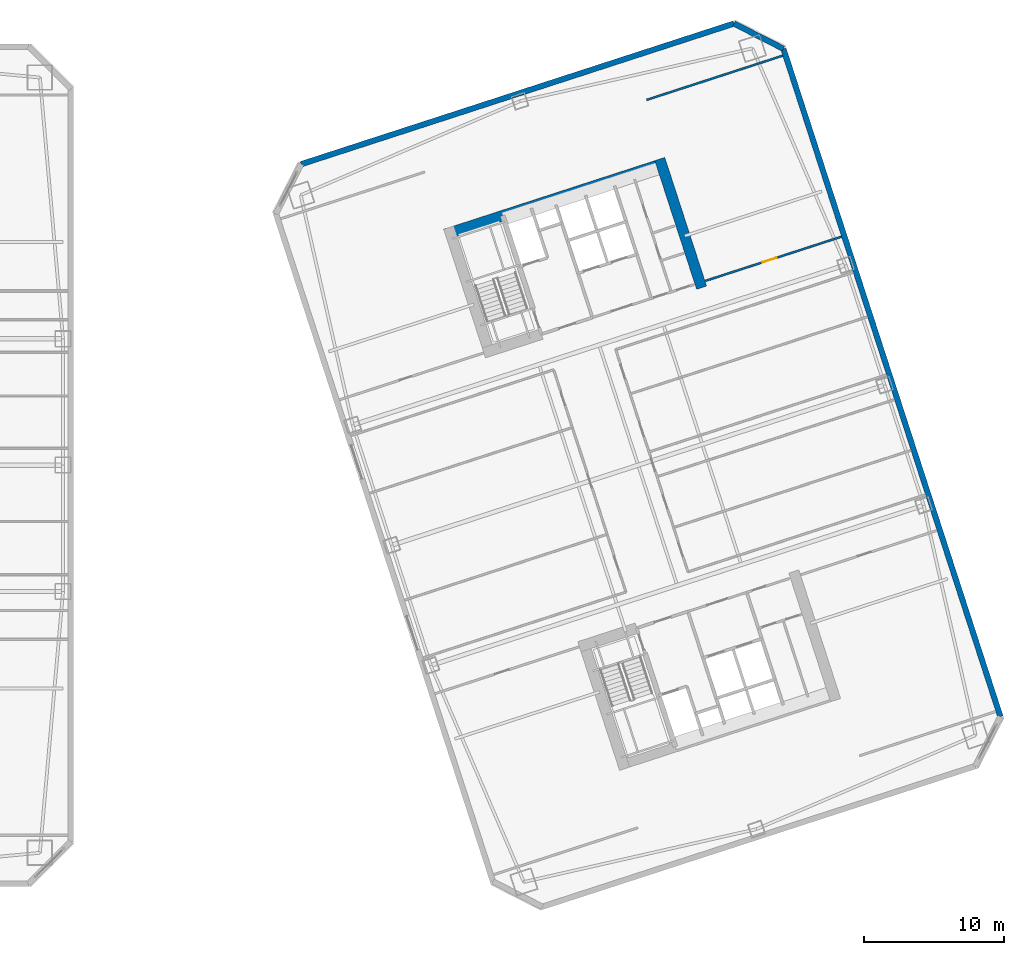
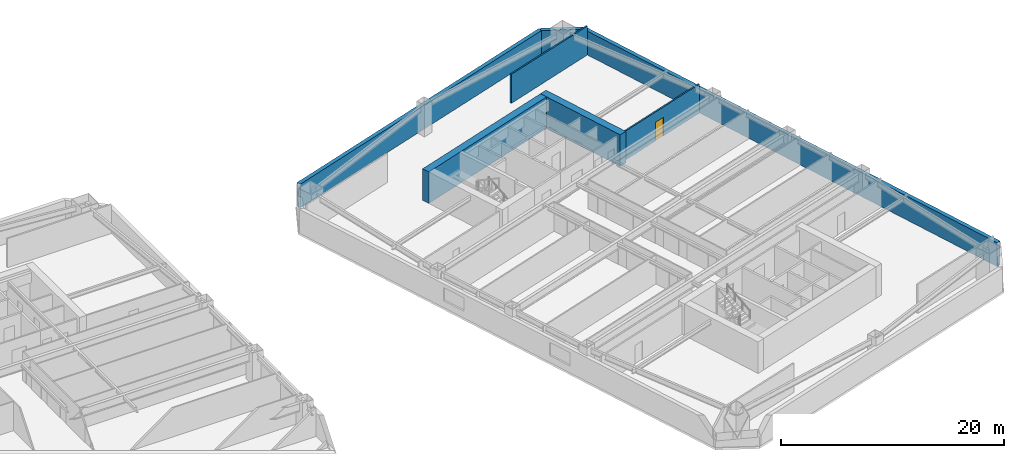
# One storey, part 16 of 19: 7 walls, 1 door, 1 opening.
"""IFC4 building model written with IfcOpenShell, lengths in metres."""

from ifc_helpers import new_model, si_unit, direction, frame, frame_2d, origin, place, context, subcontext, project, spatial, rectangle, extrude, material, layer, layer_set, type_object, element, fill, save


model = new_model("IFC4")

# Units and contexts
model_context = context("Model", 3, precision=1e-05, world=origin(), true_north=direction((0.0, 1.0)))
body_context = subcontext(model_context, "Body", "Model", "MODEL_VIEW")
ifc_project = project(units=[si_unit("LENGTHUNIT", "METRE"), si_unit("AREAUNIT", "SQUARE_METRE"), si_unit("VOLUMEUNIT", "CUBIC_METRE"), si_unit("PLANEANGLEUNIT", "RADIAN"), si_unit("MASSUNIT", "GRAM", prefix="KILO")], contexts=[model_context])

# Site, building, storey
site_placement = place(None, origin())
site = spatial("IfcSite", under=ifc_project, at=site_placement, CompositionType="ELEMENT")
building_placement = place(site_placement, origin())
building = spatial("IfcBuilding", under=site, at=building_placement, Name="Qiaolan Cultural Towers", CompositionType="ELEMENT")
storey_placement = place(building_placement, frame((0.0, 0.0, 54.050048828125)))
storey = spatial("IfcBuildingStorey", under=building, at=storey_placement, Name="L12", CompositionType="ELEMENT", Elevation=54.050048828125)

# Walls
ifc_material_1 = material(Name="Concrete C60", Category="concrete")
ifc_layer_1 = layer(ifc_material_1, 0.75)
ifc_layer_set_1 = layer_set([ifc_layer_1], Name="Concrete C60")
wall_type_1 = type_object("IfcWallType", Name="WL-CORE-750", PredefinedType="SHEAR", material=ifc_layer_set_1)
wall_1_placement = place(storey_placement, frame((76.27197265625, 50.442626953125, 0.0), z_axis=(0.0, 0.0, 1.0), x_axis=(0.951056072937, 0.309018358888, 0.0)))
element("IfcWall", 1, at=wall_1_placement, inside=storey, type_object=wall_type_1, Name="L12 T2-CN Outer Core Shear Wall", PredefinedType="SHEAR", context=body_context, shape_type="SweptSolid", body=[
    extrude(rectangle(XDim=16.550048828125, YDim=0.75, at=frame_2d((8.27490234375, 0.0))), origin(), (0.0, 0.0, 1.0), 3.449951171875),
])
wall_2_placement = place(storey_placement, frame((94.515380859375, 46.638916015625, 0.0), z_axis=(0.0, 0.0, 1.0), x_axis=(-0.309016134813, 0.951056795583, 0.0)))
element("IfcWall", 2, at=wall_2_placement, inside=storey, type_object=wall_type_1, Name="L12 T2-CN East Core Shear Wall", PredefinedType="SHEAR", context=body_context, shape_type="SweptSolid", body=[
    extrude(rectangle(XDim=9.630126953125, YDim=0.75, at=frame_2d((4.81494140625, 0.0))), origin(), (0.0, 0.0, 1.0), 3.449951171875),
])
ifc_material_2 = material(Name="Precast Concrete C50 Honed Stone Pier", Category="masonry")
ifc_layer_2 = layer(ifc_material_2, 0.39990234375)
ifc_layer_set_2 = layer_set([ifc_layer_2], Name="Precast Concrete C50 Honed Stone Pier")
wall_type_2 = type_object("IfcWallType", Name="WL-EXT-PIER-400", PredefinedType="SOLIDWALL", material=ifc_layer_set_2)
wall_3_placement = place(storey_placement, frame((66.002197265625, 55.433349609375, 0.0), z_axis=(0.0, 0.0, 1.0), x_axis=(0.951055939317, 0.309018770125, 0.0)))
element("IfcWall", 3, at=wall_3_placement, inside=storey, type_object=wall_type_2, Name="L12 East Tower Precast Pier Facade Wall F3", PredefinedType="SOLIDWALL", context=body_context, shape_type="SweptSolid", body=[
    extrude(rectangle(XDim=32.39990234375, YDim=0.39990234375, at=frame_2d((16.199951171875, 0.0))), origin(), (0.0, 0.0, 1.0), 2.60986328125),
])
wall_4_placement = place(storey_placement, frame((96.81640625, 65.445556640625, 0.0), z_axis=(0.0, 0.0, 1.0), x_axis=(0.890998089617, -0.454007053137, 0.0)))
element("IfcWall", 4, at=wall_4_placement, inside=storey, type_object=wall_type_2, Name="L12 East Tower Precast Pier Facade Wall F4", PredefinedType="SOLIDWALL", context=body_context, shape_type="SweptSolid", body=[
    extrude(rectangle(XDim=3.9599609375, YDim=0.39990234375, at=frame_2d((1.97998046875, 0.0))), origin(), (0.0, 0.0, 1.0), 2.60986328125),
])
wall_5_placement = place(storey_placement, frame((100.3447265625, 63.647705078125, 0.0), z_axis=(0.0, 0.0, 1.0), x_axis=(0.309014526607, -0.951057318118, 0.0)))
element("IfcWall", 5, at=wall_5_placement, inside=storey, type_object=wall_type_2, Name="L12 East Tower Precast Pier Facade Wall F5", PredefinedType="SOLIDWALL", context=body_context, shape_type="SweptSolid", body=[
    extrude(rectangle(XDim=49.999755859375, YDim=0.39990234375, at=frame_2d((25.0, 0.0))), origin(), (0.0, 0.0, 1.0), 2.60986328125),
])
ifc_material_3 = material(Name="Autoclaved Aerated Concrete Block B06", Category="concrete")
ifc_layer_3 = layer(ifc_material_3, 0.14990234375)
ifc_layer_set_3 = layer_set([ifc_layer_3], Name="Autoclaved Aerated Concrete Block B06")
wall_type_3 = type_object("IfcWallType", Name="WL-PART-150", PredefinedType="PARTITIONING", material=ifc_layer_set_3)
wall_6_placement = place(storey_placement, frame((90.5927734375, 60.006103515625, 0.0), z_axis=(0.0, 0.0, 1.0), x_axis=(0.951059043131, 0.309009217467, 0.0)))
element("IfcWall", 6, at=wall_6_placement, inside=storey, type_object=wall_type_3, Name="L12 T2 Flank Wall FLK-NE", PredefinedType="PARTITIONING", context=body_context, shape_type="SweptSolid", body=[
    extrude(rectangle(XDim=10.199951171875, YDim=0.14990234375, at=frame_2d((5.10009765625, 0.0))), origin(), (0.0, 0.0, 1.0), 3.175048828125),
])

# Wall, opening, door
wall_7_placement = place(storey_placement, frame((94.77978515625, 47.119140625, 0.0), z_axis=(0.0, 0.0, 1.0), x_axis=(0.951054294345, 0.309023832749, 0.0)))
wall_7 = element("IfcWall", 7, at=wall_7_placement, inside=storey, type_object=wall_type_3, Name="L12 T2 Flank Front FLK-NE", PredefinedType="PARTITIONING", context=body_context, shape_type="SweptSolid", body=[
    extrude(rectangle(XDim=10.2001953125, YDim=0.14990234375, at=frame_2d((5.10009765625, 0.0))), origin(), (0.0, 0.0, 1.0), 3.175048828125),
])
opening_placement = place(wall_7_placement, frame((4.283935546875, 0.0, 0.0)))
opening = element("IfcOpeningElement", 8, at=opening_placement, cuts=wall_7, Name="Opening ID-07", PredefinedType="OPENING", context=body_context, shape_type="SweptSolid", body=[
    extrude(rectangle(XDim=1.050048828125, YDim=2.050048828125, at=frame_2d((0.52490234375, 1.02490234375))), frame((0.0, 0.0849609375, 0.0), z_axis=(0.0, -1.0, 0.0), x_axis=(1.0, 0.0, 0.0)), (0.0, 0.0, 1.0), 0.169921875),
])
ifc_material_4 = material(Name="Oak Veneer Consultation Door", Category="timber")
door_type = type_object("IfcDoorType", Name="DR-INT-1050", OperationType="NOTDEFINED", PredefinedType="DOOR", material=ifc_material_4)
door_placement = place(opening_placement, origin())
door = element("IfcDoor", 9, at=door_placement, inside=storey, type_object=door_type, Name="L12 T2 Corner Studio Door", OperationType="SINGLE_SWING_LEFT", OverallHeight=2.050048828125, OverallWidth=1.050048828125, PredefinedType="DOOR", context=body_context, shape_type="SweptSolid", body=[
    extrude(rectangle(XDim=1.050048828125, YDim=2.050048828125, at=frame_2d((0.52490234375, 1.02490234375))), frame((0.0, 0.02490234375, 0.0), z_axis=(0.0, -1.0, 0.0), x_axis=(1.0, 0.0, 0.0)), (0.0, 0.0, 1.0), 0.050048828125),
])
fill(opening, door)

save(model, "model.ifc")
